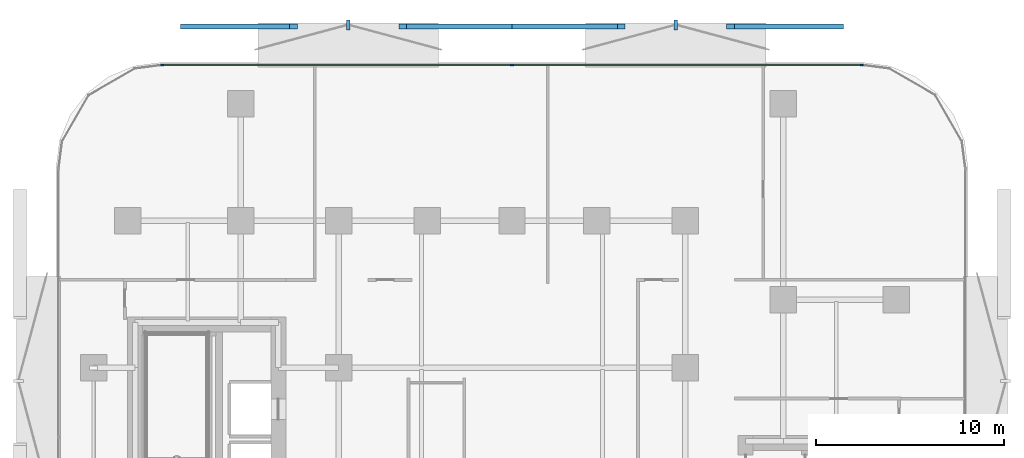
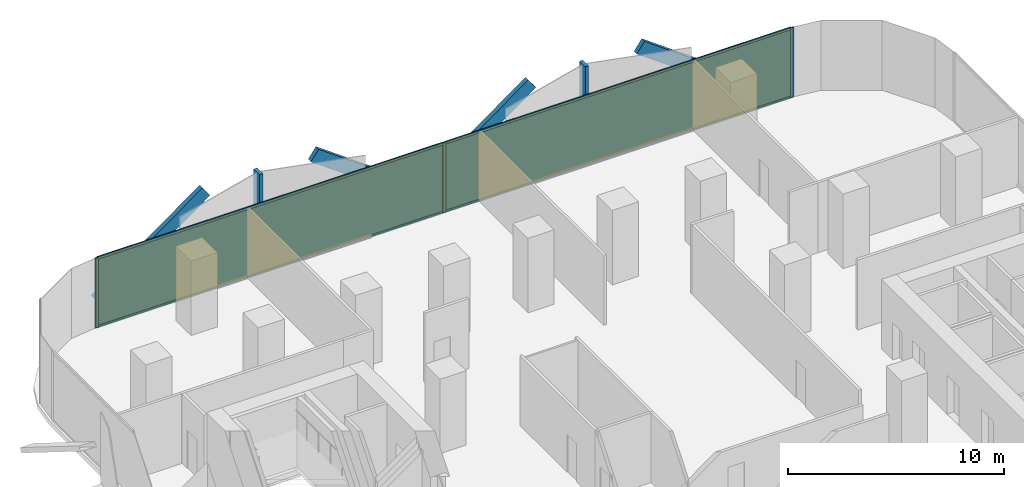
# One storey, part 10 of 15: 13 members, 2 plates, 1 curtain wall.
"""IFC4 building model written with IfcOpenShell, lengths in metres."""

from ifc_helpers import new_model, si_unit, direction, frame, frame_2d, origin, origin_2d, place, context, subcontext, project, spatial, rectangle, extrude, material, layer, layer_set, material_profile, profile_set, type_object, element, aggregate, save


model = new_model("IFC4")

# Units and contexts
model_context = context("Model", 3, precision=1e-05, world=origin(), true_north=direction((0.0, 1.0)))
body_context = subcontext(model_context, "Body", "Model", "MODEL_VIEW")
ifc_project = project(units=[si_unit("LENGTHUNIT", "METRE"), si_unit("AREAUNIT", "SQUARE_METRE"), si_unit("VOLUMEUNIT", "CUBIC_METRE"), si_unit("PLANEANGLEUNIT", "RADIAN"), si_unit("MASSUNIT", "GRAM", prefix="KILO")], contexts=[model_context])

# Member
ifc_material_1 = material(Name="Anodised Bronze Aluminium 6063-T6", Category="aluminium")
ifc_material_profile_1 = material_profile(ifc_material_1, rectangle(XDim=0.260009765625, YDim=0.699951171875, at=origin_2d()))
ifc_profile_set_1 = profile_set([ifc_material_profile_1], Name="Anodised Bronze Aluminium 6063-T6")
member_type_1 = type_object("IfcMemberType", Name="Bronze Diamond Solar-Screen Lattice Rib BDL-700", PredefinedType="MULLION", material=ifc_profile_set_1)
site_placement = place(None, origin())
building_placement = place(site_placement, origin())
storey_placement = place(building_placement, frame((0.0, 0.0, 51.199951171875)))
member_1_placement = place(storey_placement, frame((-17.390869140625, 28.89990234375, -0.1298828125), z_axis=(0.80979516686, 0.0, 0.58671269607), x_axis=(0.0, 1.0, 0.0)))
member_1 = element("IfcMember", 1, at=member_1_placement, type_object=member_type_1, Name="L12 Bronze Diamond Solar Screen Lattice Rib 53A", PredefinedType="MULLION", context=body_context, shape_type="SweptSolid", body=[
    extrude(rectangle(XDim=0.260009765625, YDim=0.699951171875, at=origin_2d()), origin(), (0.0, 0.0, 1.0), 7.158447265625),
])

member_2_placement = place(storey_placement, frame((0.0, 28.89990234375, -0.1298828125), z_axis=(-0.80979516686, 0.0, 0.58671269607), x_axis=(0.0, -1.0, 0.0)))
member_2 = element("IfcMember", 2, at=member_2_placement, type_object=member_type_1, Name="L12 Bronze Diamond Solar Screen Lattice Rib 53B", PredefinedType="MULLION", context=body_context, shape_type="SweptSolid", body=[
    extrude(rectangle(XDim=0.260009765625, YDim=0.699951171875, at=origin_2d()), origin(), (0.0, 0.0, 1.0), 7.158447265625),
])

member_3_placement = place(storey_placement, frame((0.0, 28.89990234375, -0.1298828125), z_axis=(0.80979516686, 0.0, 0.58671269607), x_axis=(0.0, 1.0, 0.0)))
member_3 = element("IfcMember", 3, at=member_3_placement, type_object=member_type_1, Name="L12 Bronze Diamond Solar Screen Lattice Rib 54A", PredefinedType="MULLION", context=body_context, shape_type="SweptSolid", body=[
    extrude(rectangle(XDim=0.260009765625, YDim=0.699951171875, at=origin_2d()), origin(), (0.0, 0.0, 1.0), 7.158447265625),
])

member_4_placement = place(storey_placement, frame((17.390869140625, 28.89990234375, -0.1298828125), z_axis=(-0.80979516686, 0.0, 0.58671269607), x_axis=(0.0, -1.0, 0.0)))
member_4 = element("IfcMember", 4, at=member_4_placement, type_object=member_type_1, Name="L12 Bronze Diamond Solar Screen Lattice Rib 54B", PredefinedType="MULLION", context=body_context, shape_type="SweptSolid", body=[
    extrude(rectangle(XDim=0.260009765625, YDim=0.699951171875, at=origin_2d()), origin(), (0.0, 0.0, 1.0), 7.158447265625),
])

ifc_material_2 = material(Name="Anodised Bronze Aluminium 6063-T6", Category="aluminium")
ifc_material_profile_2 = material_profile(ifc_material_2, rectangle(XDim=0.179931640625, YDim=0.5400390625, at=origin_2d()))
ifc_profile_set_2 = profile_set([ifc_material_profile_2], Name="Anodised Bronze Aluminium 6063-T6")
member_type_2 = type_object("IfcMemberType", Name="Bronze Solar-Screen Vertical Fold Fin BSF-540", PredefinedType="MULLION", material=ifc_profile_set_2)
member_5_placement = place(storey_placement, frame((-8.6953125, 28.97998046875, -0.1298828125), z_axis=(0.0, 0.0, 1.0), x_axis=(1.0, 0.0, 0.0)))
member_5 = element("IfcMember", 5, at=member_5_placement, type_object=member_type_2, Name="L12 Bronze Solar Screen Vertical Fin 53", PredefinedType="MULLION", context=body_context, shape_type="SweptSolid", body=[
    extrude(rectangle(XDim=0.179931640625, YDim=0.5400390625, at=origin_2d()), origin(), (0.0, 0.0, 1.0), 4.199951171875),
])

member_6_placement = place(storey_placement, frame((8.6953125, 28.97998046875, -0.1298828125), z_axis=(0.0, 0.0, 1.0), x_axis=(1.0, 0.0, 0.0)))
member_6 = element("IfcMember", 6, at=member_6_placement, type_object=member_type_2, Name="L12 Bronze Solar Screen Vertical Fin 54", PredefinedType="MULLION", context=body_context, shape_type="SweptSolid", body=[
    extrude(rectangle(XDim=0.179931640625, YDim=0.5400390625, at=origin_2d()), origin(), (0.0, 0.0, 1.0), 4.199951171875),
])

ifc_material_3 = material(Name="Anodised Bronze Aluminium 6063-T6", Category="aluminium")
ifc_material_profile_3 = material_profile(ifc_material_3, rectangle(XDim=0.06494140625, YDim=0.179931640625, at=origin_2d()))
ifc_profile_set_3 = profile_set([ifc_material_profile_3], Name="Anodised Bronze Aluminium 6063-T6")
member_type_3 = type_object("IfcMemberType", Name="CW-Z1 Mullion 65x180", PredefinedType="MULLION", material=ifc_profile_set_3)
member_7_placement = place(storey_placement, frame((-18.558349609375, 26.860107421875, 0.0), z_axis=(0.0, 0.0, 1.0), x_axis=(0.0, 1.0, 0.0)))
member_7 = element("IfcMember", 7, at=member_7_placement, type_object=member_type_3, Name="CW-Z1 mullion 1", PredefinedType="MULLION", context=body_context, shape_type="SweptSolid", body=[
    extrude(rectangle(XDim=0.06494140625, YDim=0.179931640625, at=origin_2d()), origin(), (0.0, 0.0, 1.0), 3.93994140625),
])

member_8_placement = place(storey_placement, frame((0.0, 26.860107421875, 0.0), z_axis=(0.0, 0.0, 1.0), x_axis=(0.0, 1.0, 0.0)))
member_8 = element("IfcMember", 8, at=member_8_placement, type_object=member_type_3, Name="CW-Z1 mullion 2", PredefinedType="MULLION", context=body_context, shape_type="SweptSolid", body=[
    extrude(rectangle(XDim=0.06494140625, YDim=0.179931640625, at=origin_2d()), origin(), (0.0, 0.0, 1.0), 3.93994140625),
])

member_9_placement = place(storey_placement, frame((18.558349609375, 26.860107421875, 0.0), z_axis=(0.0, 0.0, 1.0), x_axis=(0.0, 1.0, 0.0)))
member_9 = element("IfcMember", 9, at=member_9_placement, type_object=member_type_3, Name="CW-Z1 mullion 3", PredefinedType="MULLION", context=body_context, shape_type="SweptSolid", body=[
    extrude(rectangle(XDim=0.06494140625, YDim=0.179931640625, at=origin_2d()), origin(), (0.0, 0.0, 1.0), 3.93994140625),
])

ifc_material_4 = material(Name="Anodised Bronze Aluminium 6063-T6", Category="aluminium")
ifc_material_profile_4 = material_profile(ifc_material_4, rectangle(XDim=0.06494140625, YDim=0.139892578125, at=origin_2d()))
ifc_profile_set_4 = profile_set([ifc_material_profile_4], Name="Anodised Bronze Aluminium 6063-T6")
member_type_4 = type_object("IfcMemberType", Name="CW-Z1 Transom 65x140", PredefinedType="USERDEFINED", material=ifc_profile_set_4)
member_10_placement = place(storey_placement, frame((-18.52587890625, 26.860107421875, 0.032470703125), z_axis=(1.0, 0.0, 0.0), x_axis=(0.0, 1.0, 0.0)))
member_10 = element("IfcMember", 10, at=member_10_placement, type_object=member_type_4, Name="CW-Z1 transom 1.1", ObjectType="TRANSOM", PredefinedType="USERDEFINED", context=body_context, shape_type="SweptSolid", body=[
    extrude(rectangle(XDim=0.06494140625, YDim=0.139892578125, at=origin_2d()), origin(), (0.0, 0.0, 1.0), 18.493408203125),
])

member_11_placement = place(storey_placement, frame((-18.52587890625, 26.860107421875, 3.907470703125), z_axis=(1.0, 0.0, 0.0), x_axis=(0.0, 1.0, 0.0)))
member_11 = element("IfcMember", 11, at=member_11_placement, type_object=member_type_4, Name="CW-Z1 transom 1.2", ObjectType="TRANSOM", PredefinedType="USERDEFINED", context=body_context, shape_type="SweptSolid", body=[
    extrude(rectangle(XDim=0.06494140625, YDim=0.139892578125, at=origin_2d()), origin(), (0.0, 0.0, 1.0), 18.493408203125),
])

member_12_placement = place(storey_placement, frame((0.032470703125, 26.860107421875, 0.032470703125), z_axis=(1.0, 0.0, 0.0), x_axis=(0.0, 1.0, 0.0)))
member_12 = element("IfcMember", 12, at=member_12_placement, type_object=member_type_4, Name="CW-Z1 transom 2.1", ObjectType="TRANSOM", PredefinedType="USERDEFINED", context=body_context, shape_type="SweptSolid", body=[
    extrude(rectangle(XDim=0.06494140625, YDim=0.139892578125, at=origin_2d()), origin(), (0.0, 0.0, 1.0), 18.493408203125),
])

member_13_placement = place(storey_placement, frame((0.032470703125, 26.860107421875, 3.907470703125), z_axis=(1.0, 0.0, 0.0), x_axis=(0.0, 1.0, 0.0)))
member_13 = element("IfcMember", 13, at=member_13_placement, type_object=member_type_4, Name="CW-Z1 transom 2.2", ObjectType="TRANSOM", PredefinedType="USERDEFINED", context=body_context, shape_type="SweptSolid", body=[
    extrude(rectangle(XDim=0.06494140625, YDim=0.139892578125, at=origin_2d()), origin(), (0.0, 0.0, 1.0), 18.493408203125),
])

# Plate
ifc_material_5 = material(Name="Low-E Solar Control Laminated Glass", Category="glass")
ifc_layer_1 = layer(ifc_material_5, 0.028076171875, Name="Low-E Solar Control Laminated Glass")
ifc_layer_set_1 = layer_set([ifc_layer_1], Name="Low-E Solar Control Laminated Glass")
plate_type = type_object("IfcPlateType", Name="CW-Z1 Low-E Double Glazed Panel 28mm", PredefinedType="CURTAIN_PANEL", material=ifc_layer_set_1)
plate_1_placement = place(storey_placement, frame((-9.279052734375, 26.860107421875, 0.06494140625), z_axis=(0.0, 0.0, 1.0), x_axis=(1.0, 0.0, 0.0)))
plate_1 = element("IfcPlate", 14, at=plate_1_placement, type_object=plate_type, Name="CW-Z1 panel 1.1", PredefinedType="CURTAIN_PANEL", context=body_context, shape_type="SweptSolid", body=[
    extrude(rectangle(XDim=18.493408203125, YDim=0.028076171875, at=origin_2d()), origin(), (0.0, 0.0, 1.0), 3.81005859375),
])

plate_2_placement = place(storey_placement, frame((9.279052734375, 26.860107421875, 0.06494140625), z_axis=(0.0, 0.0, 1.0), x_axis=(1.0, 0.0, 0.0)))
plate_2 = element("IfcPlate", 15, at=plate_2_placement, type_object=plate_type, Name="CW-Z1 panel 2.1", PredefinedType="CURTAIN_PANEL", context=body_context, shape_type="SweptSolid", body=[
    extrude(rectangle(XDim=18.493408203125, YDim=0.028076171875, at=origin_2d()), origin(), (0.0, 0.0, 1.0), 3.81005859375),
])

# Site, building, storey
site = spatial("IfcSite", under=ifc_project, at=site_placement, CompositionType="ELEMENT")
building = spatial("IfcBuilding", under=site, at=building_placement, Name="Khairoan Windgate Tower", CompositionType="ELEMENT")
storey = spatial("IfcBuildingStorey", under=building, at=storey_placement, Name="L12", CompositionType="ELEMENT", Elevation=51.199951171875)

# Curtain wall
ifc_material_6 = material(Name="Anodised Bronze Aluminium 6063-T6", Category="aluminium")
ifc_layer_2 = layer(ifc_material_6, 0.179931640625, Name="Anodised Bronze Aluminium 6063-T6")
ifc_layer_set_2 = layer_set([ifc_layer_2], Name="Anodised Bronze Aluminium 6063-T6")
curtain_wall_type = type_object("IfcCurtainWallType", Name="Low-Rise Office Unitised Curtain Wall CW-Z1", PredefinedType="NOTDEFINED", material=ifc_layer_set_2)
curtain_wall_placement = place(storey_placement, frame((-18.5908203125, 26.860107421875, 0.0), z_axis=(0.0, 0.0, 1.0), x_axis=(1.0, 0.0, 0.0)))
curtain_wall = element("IfcCurtainWall", 16, at=curtain_wall_placement, inside=storey, type_object=curtain_wall_type, Name="L12 Unitised Curtain Wall 11", PredefinedType="NOTDEFINED", context=body_context, shape_type="SweptSolid", body=[
    extrude(rectangle(XDim=37.181640625, YDim=0.010009765625, at=frame_2d((18.5908203125, 0.0))), origin(), (0.0, 0.0, 1.0), 3.93994140625),
])

aggregate(curtain_wall, [member_7, member_8, member_9, member_10, member_11, plate_1, member_12, member_13, plate_2, member_1, member_2, member_5, member_3, member_4, member_6])

save(model, "model.ifc")
